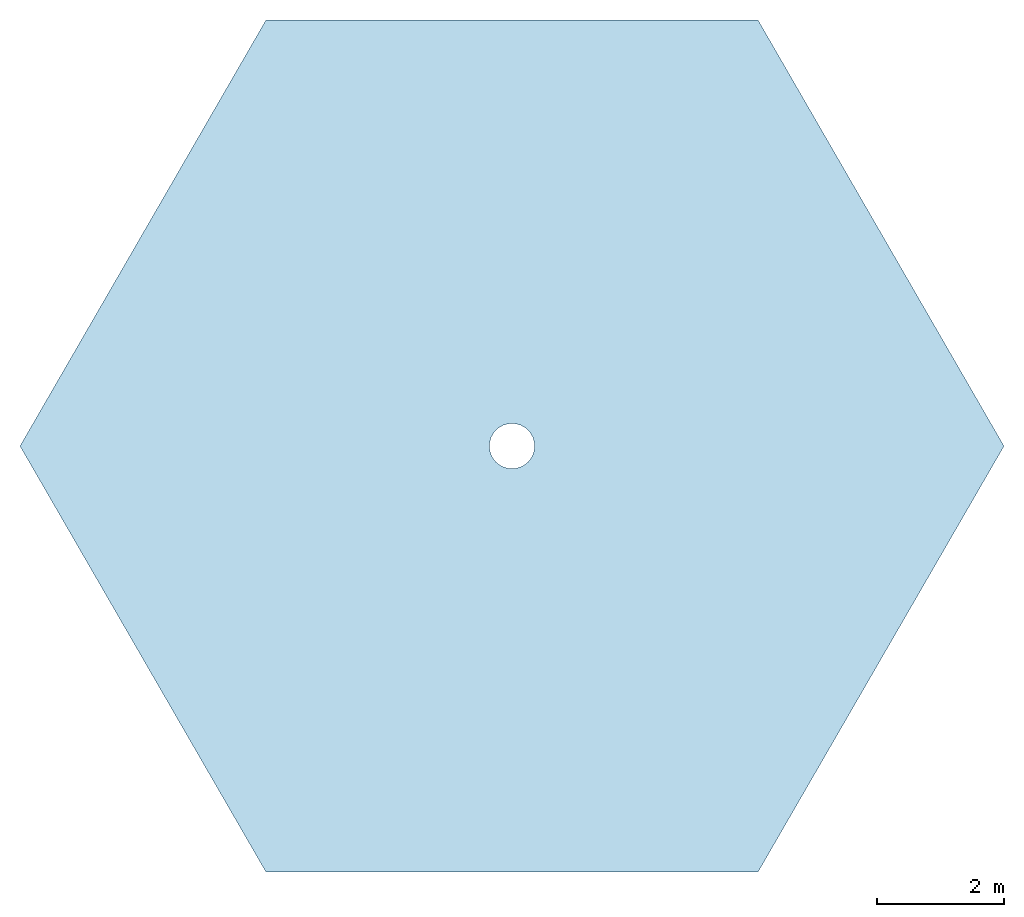
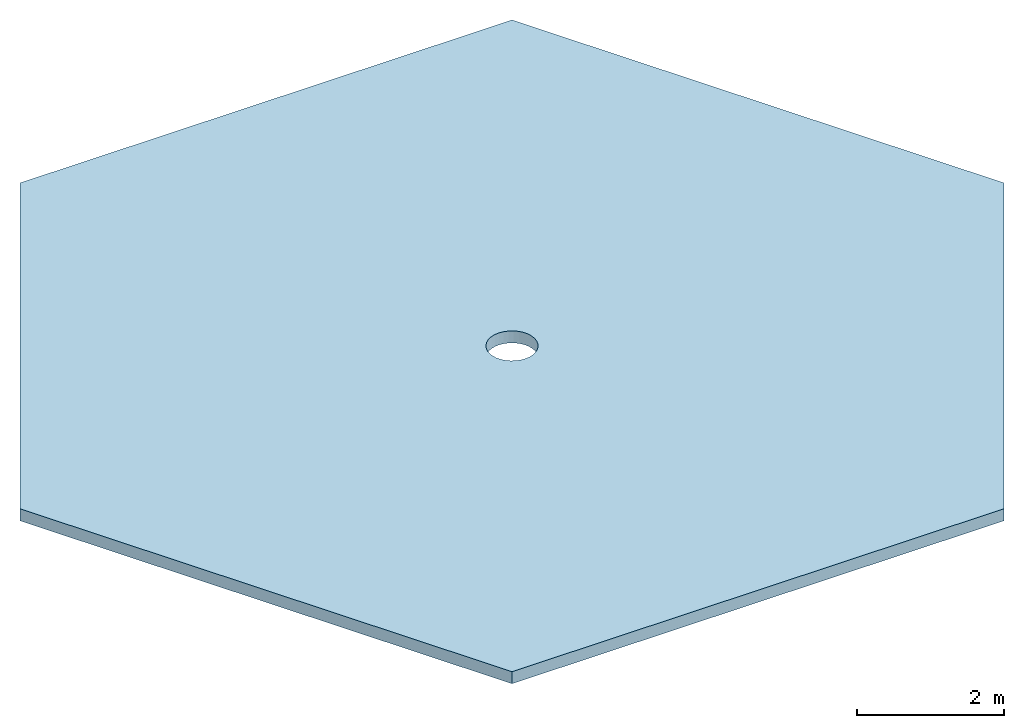
# One storey: 1 slab.
"""IFC4 building model written with IfcOpenShell, lengths in metres."""

import ifcopenshell
import ifcopenshell.guid

model = None  # the IFC model being written
_history = None  # IfcOwnerHistory: only IFC2X3 demands one
_inside = {}  # id of a spatial element -> (the spatial element, [elements in it])
_under = {}  # id of a project, library or spatial element -> (it, [spatial elements below it])
_declared = {}  # id of a project -> (the project, [libraries it declares])
_typed = {}  # id of a type object -> (the type object, [elements of that type])
_made_of = {}  # id of a material, layer set ... -> (it, [elements and type objects made of it])


def new_model(schema):
    """Start an empty IFC model of exactly this schema.

    Asked for "IFC4X3", IfcOpenShell would pick the latest addendum, in which some entities
    have other attributes; the version numbers below select the first issue.
    IFC2X3 requires an IfcOwnerHistory on every rooted entity: one is made here for all.
    """
    global model, _history
    if schema == "IFC4X3":
        model = ifcopenshell.file(schema_version=(4, 3, 0, 0))
    else:
        model = ifcopenshell.file(schema=schema)
    _inside.clear()
    _under.clear()
    _declared.clear()
    _typed.clear()
    _made_of.clear()
    _history = None
    if model.schema == "IFC2X3":
        org = make("IfcOrganization", Name="unknown")
        user = make(
            "IfcPersonAndOrganization",
            ThePerson=make("IfcPerson", FamilyName="unknown"),
            TheOrganization=org,
        )
        app = make(
            "IfcApplication",
            ApplicationDeveloper=org,
            Version="unknown",
            ApplicationFullName="unknown",
            ApplicationIdentifier="unknown",
        )
        _history = make(
            "IfcOwnerHistory",
            OwningUser=user,
            OwningApplication=app,
            ChangeAction="ADDED",
            CreationDate=0,
        )
    return model


def make(cls, **values):
    """One entity of the class cls with the attributes given. An attribute that is None is left unset."""
    return model.create_entity(
        cls, **{name: value for name, value in values.items() if value is not None}
    )


def rooted(cls, **values):
    """An entity with a GlobalId (a new one), such as an element, a storey or a relation."""
    return make(cls, GlobalId=ifcopenshell.guid.new(), OwnerHistory=_history, **values)


def si_unit(unit_type, name, prefix=None):
    """IfcSIUnit, for example si_unit("LENGTHUNIT", "METRE", prefix="MILLI")."""
    return make("IfcSIUnit", UnitType=unit_type, Prefix=prefix, Name=name)


def assignment(units):
    """IfcUnitAssignment: the units of a project."""
    return None if units is None else make("IfcUnitAssignment", Units=units)


def point(xyz):
    """IfcCartesianPoint."""
    return None if xyz is None else make("IfcCartesianPoint", Coordinates=xyz)


def direction(xyz):
    """IfcDirection."""
    return None if xyz is None else make("IfcDirection", DirectionRatios=xyz)


def frame(location, z_axis=None, x_axis=None):
    """IfcAxis2Placement3D, a coordinate frame: its origin and axes. An axis left out is left unset."""
    return make(
        "IfcAxis2Placement3D",
        Location=point(location),
        Axis=direction(z_axis),
        RefDirection=direction(x_axis),
    )


def origin():
    """The frame at (0, 0, 0) with its axes left unset."""
    return frame((0.0, 0.0, 0.0))


def place(relative_to, where):
    """IfcLocalPlacement: puts the frame where relative to a parent placement (None: the world)."""
    return make(
        "IfcLocalPlacement", PlacementRelTo=relative_to, RelativePlacement=where
    )


def context(
    kind, dimensions, precision=None, world=None, true_north=None, identifier=None
):
    """IfcGeometricRepresentationContext, for example the 3D "Model" context."""
    return make(
        "IfcGeometricRepresentationContext",
        ContextIdentifier=identifier,
        ContextType=kind,
        CoordinateSpaceDimension=dimensions,
        Precision=precision,
        WorldCoordinateSystem=world,
        TrueNorth=true_north,
    )


def subcontext(parent, identifier, kind, view, scale=None):
    """IfcGeometricRepresentationSubContext, for example "Body" below "Model"."""
    return make(
        "IfcGeometricRepresentationSubContext",
        ContextIdentifier=identifier,
        ContextType=kind,
        ParentContext=parent,
        TargetScale=scale,
        TargetView=view,
    )


def project(units=None, contexts=None):
    """IfcProject with its units and contexts."""
    return rooted(
        "IfcProject",
        Name="project",
        RepresentationContexts=contexts,
        UnitsInContext=assignment(units),
    )


def spatial(cls, under=None, at=None, **own):
    """A site, building, storey or space (cls), placed at a placement, below another one or the project."""
    s = rooted(cls, ObjectPlacement=at, **own)
    if under is not None:
        _under.setdefault(under.id(), (under, []))[1].append(s)
    return s


def polyline(points):
    """IfcPolyline through the points."""
    return make("IfcPolyline", Points=[point(p) for p in points])


def outline(outer, holes=None, kind="AREA"):
    """IfcArbitraryClosedProfileDef: a profile drawn as a closed curve; with holes, ...WithVoids."""
    if holes is None:
        return make("IfcArbitraryClosedProfileDef", ProfileType=kind, OuterCurve=outer)
    return make(
        "IfcArbitraryProfileDefWithVoids",
        ProfileType=kind,
        OuterCurve=outer,
        InnerCurves=holes,
    )


def extrude(swept, where, along, depth):
    """IfcExtrudedAreaSolid: the profile swept, set in the frame where, extruded along a direction by depth."""
    return make(
        "IfcExtrudedAreaSolid",
        SweptArea=swept,
        Position=where,
        ExtrudedDirection=direction(along),
        Depth=depth,
    )


def shape(context_of_items, identifier, shape_type, items):
    """IfcShapeRepresentation: the items that make up one representation, for example the "Body"."""
    return make(
        "IfcShapeRepresentation",
        ContextOfItems=context_of_items,
        RepresentationIdentifier=identifier,
        RepresentationType=shape_type,
        Items=items,
    )


def material(Name=None, Category=None):
    """IfcMaterial."""
    return make("IfcMaterial", Name=Name, Category=Category)


def layer(
    of_material, thickness, ventilated=None, Name=None, Category=None, Priority=None
):
    """IfcMaterialLayer: one layer of a wall or slab, of a material (None: an air gap)."""
    return make(
        "IfcMaterialLayer",
        Material=of_material,
        LayerThickness=thickness,
        IsVentilated=ventilated,
        Name=Name,
        Category=Category,
        Priority=Priority,
    )


def layer_set(layers, Name=None):
    """IfcMaterialLayerSet."""
    return make("IfcMaterialLayerSet", MaterialLayers=layers, LayerSetName=Name)


def made_of(thing, what):
    """Note that an element or type object is made of a material, layer set ...; save() writes the relation."""
    if what is not None:
        _made_of.setdefault(what.id(), (what, []))[1].append(thing)
    return thing


def type_object(cls, material=None, **own):
    """A type object (cls), such as IfcWallType, which elements share."""
    return made_of(rooted(cls, **own), material)


def element(
    cls,
    number,
    at=None,
    inside=None,
    cuts=None,
    type_object=None,
    material=None,
    context=None,
    identifier="Body",
    shape_type=None,
    held_by="IfcProductDefinitionShape",
    body=None,
    shapes=None,
    **own,
):
    """One element of the class cls, such as IfcWall. Its Tag is "e" and its number.

    at: its placement. inside: the storey or other place that contains it. cuts: it is an
    opening in that element (IfcRelVoidsElement). A single representation is given by context,
    identifier, shape_type and body (its items); several are given by shapes. held_by: the class
    of the entity that holds the representations. save() writes the other relations.
    """
    e = rooted(cls, Tag="e%d" % number, ObjectPlacement=at, **own)
    if body is not None:
        shapes = [shape(context, identifier, shape_type, body)]
    if shapes is not None:
        e.Representation = make(held_by, Representations=shapes)
    if inside is not None:
        _inside.setdefault(inside.id(), (inside, []))[1].append(e)
    if cuts is not None:
        rooted(
            "IfcRelVoidsElement", RelatingBuildingElement=cuts, RelatedOpeningElement=e
        )
    if type_object is not None:
        _typed.setdefault(type_object.id(), (type_object, []))[1].append(e)
    return made_of(e, material)


def aggregate(whole, parts):
    """IfcRelAggregates: a whole, such as a stair, and the parts it consists of."""
    return rooted("IfcRelAggregates", RelatingObject=whole, RelatedObjects=parts)


def save(model, path):
    """Write the relations noted so far, then the file.

    IfcRelAggregates (storeys below a building ...), IfcRelContainedInSpatialStructure (elements
    in a storey), IfcRelDefinesByType, IfcRelAssociatesMaterial and IfcRelDeclares: one each for
    every whole, place, type object, material and project.
    """
    for whole, parts in _under.values():
        aggregate(whole, parts)
    for where, things in _inside.values():
        rooted(
            "IfcRelContainedInSpatialStructure",
            RelatedElements=things,
            RelatingStructure=where,
        )
    for kind, things in _typed.values():
        rooted("IfcRelDefinesByType", RelatedObjects=things, RelatingType=kind)
    for what, things in _made_of.values():
        rooted("IfcRelAssociatesMaterial", RelatedObjects=things, RelatingMaterial=what)
    for by, libraries in _declared.values():
        rooted("IfcRelDeclares", RelatingContext=by, RelatedDefinitions=libraries)
    model.write(path)


model = new_model("IFC4")

# Units and contexts
model_context = context("Model", 3, precision=1e-05, world=origin(), true_north=direction((0.0, 1.0)))
body_context = subcontext(model_context, "Body", "Model", "MODEL_VIEW")
ifc_project = project(units=[si_unit("LENGTHUNIT", "METRE"), si_unit("AREAUNIT", "SQUARE_METRE"), si_unit("VOLUMEUNIT", "CUBIC_METRE"), si_unit("PLANEANGLEUNIT", "RADIAN"), si_unit("MASSUNIT", "GRAM", prefix="KILO")], contexts=[model_context])

# Site, building, storey
site_placement = place(None, origin())
site = spatial("IfcSite", under=ifc_project, at=site_placement, CompositionType="ELEMENT")
building_placement = place(site_placement, origin())
building = spatial("IfcBuilding", under=site, at=building_placement, Name="Tarnside Tower", CompositionType="ELEMENT")
storey_placement = place(building_placement, frame((0.0, 0.0, 415.0)))
storey = spatial("IfcBuildingStorey", under=building, at=storey_placement, Name="ROOF", CompositionType="ELEMENT", Elevation=415.0)

# Slab
ifc_material = material(Name="Concrete C35/45", Category="concrete")
ifc_layer = layer(ifc_material, 0.199951171875)
ifc_layer_set = layer_set([ifc_layer], Name="Roof slab 200")
slab_type = type_object("IfcSlabType", Name="Roof slab 200", PredefinedType="ROOF", material=ifc_layer_set)
slab_placement = place(storey_placement, origin())
element("IfcSlab", 1, at=slab_placement, inside=storey, type_object=slab_type, Name="Roof slab crown", PredefinedType="ROOF", context=body_context, shape_type="SweptSolid", body=[
    extrude(outline(polyline([(3.8681640625, 6.699951171875), (7.736572265625, 0.0), (3.8681640625, -6.699951171875), (-3.8681640625, -6.699951171875), (-7.736572265625, 0.0), (-3.8681640625, 6.699951171875), (3.8681640625, 6.699951171875)]), holes=[polyline([(0.3486328125, 0.0693359375), (0.328369140625, 0.135986328125), (0.295654296875, 0.197509765625), (0.25146484375, 0.25146484375), (0.197509765625, 0.295654296875), (0.135986328125, 0.328369140625), (0.0693359375, 0.3486328125), (0.0, 0.35546875), (-0.0693359375, 0.3486328125), (-0.135986328125, 0.328369140625), (-0.197509765625, 0.295654296875), (-0.25146484375, 0.25146484375), (-0.295654296875, 0.197509765625), (-0.328369140625, 0.135986328125), (-0.3486328125, 0.0693359375), (-0.35546875, 0.0), (-0.3486328125, -0.0693359375), (-0.328369140625, -0.135986328125), (-0.295654296875, -0.197509765625), (-0.25146484375, -0.25146484375), (-0.197509765625, -0.295654296875), (-0.135986328125, -0.328369140625), (-0.0693359375, -0.3486328125), (0.0, -0.35546875), (0.0693359375, -0.3486328125), (0.135986328125, -0.328369140625), (0.197509765625, -0.295654296875), (0.25146484375, -0.25146484375), (0.295654296875, -0.197509765625), (0.328369140625, -0.135986328125), (0.3486328125, -0.0693359375), (0.35546875, 0.0), (0.3486328125, 0.0693359375)])]), origin(), (0.0, 0.0, 1.0), 0.199951171875),
])

save(model, "model.ifc")
